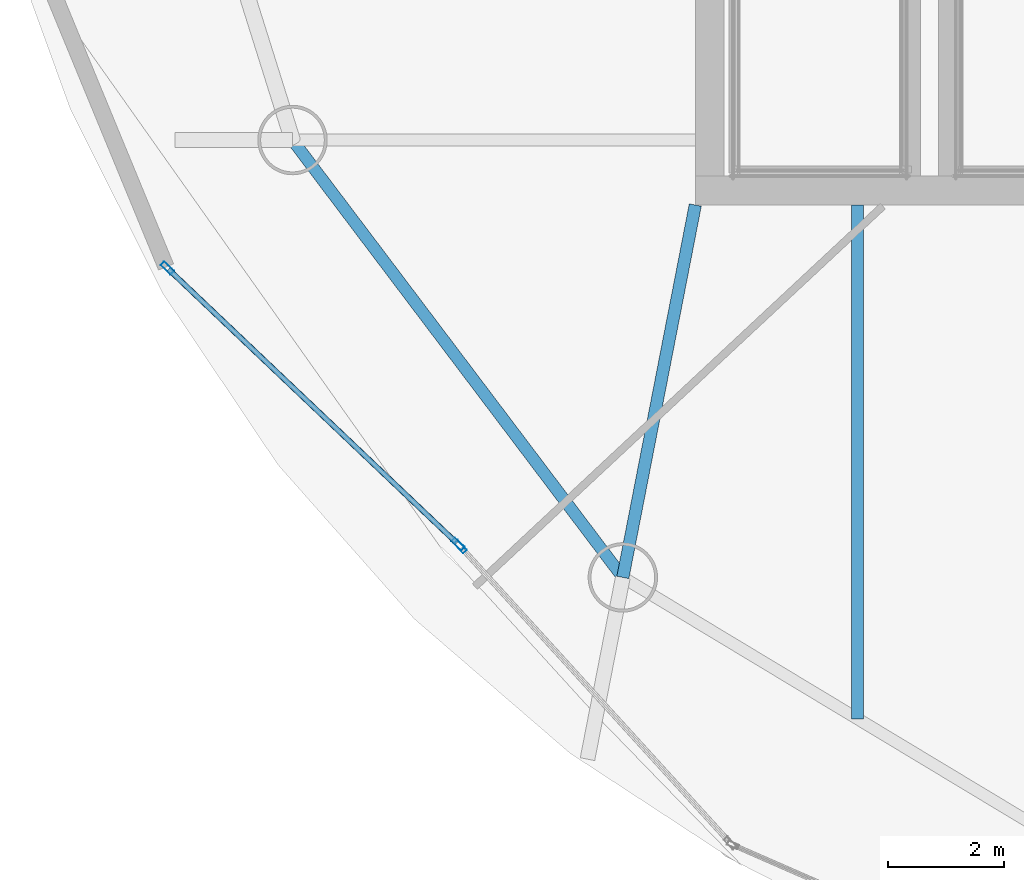
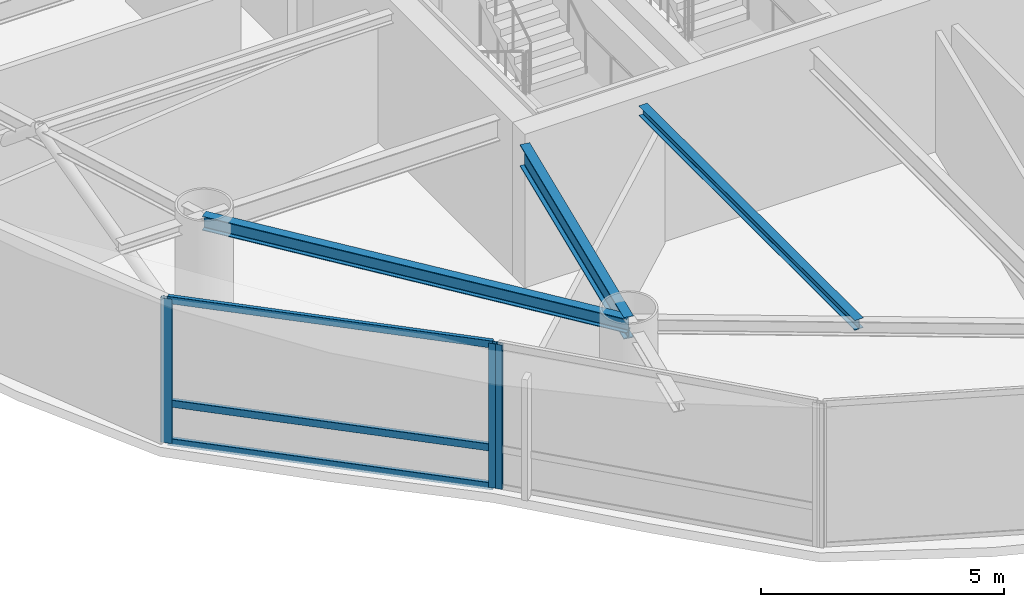
# One storey, part 3 of 22: 6 members, 3 beams, 2 elements without a shape of their own.
"""IFC4 building model written with IfcOpenShell, lengths in metres."""

from ifc_helpers import new_model, si_unit, direction, frame, origin, origin_2d, place, context, subcontext, project, spatial, hollow_rectangle, i_section, extrude, material, layer, layer_set, material_profile, profile_set, type_object, element, aggregate, save


model = new_model("IFC4")

# Units and contexts
model_context = context("Model", 3, precision=1e-05, world=origin(), true_north=direction((0.0, 1.0)))
body_context = subcontext(model_context, "Body", "Model", "MODEL_VIEW")
ifc_project = project(units=[si_unit("LENGTHUNIT", "METRE"), si_unit("AREAUNIT", "SQUARE_METRE"), si_unit("VOLUMEUNIT", "CUBIC_METRE"), si_unit("PLANEANGLEUNIT", "RADIAN"), si_unit("MASSUNIT", "GRAM", prefix="KILO")], contexts=[model_context])

# Site, building, storey
site_placement = place(None, origin())
site = spatial("IfcSite", under=ifc_project, at=site_placement, CompositionType="ELEMENT")
building_placement = place(site_placement, origin())
building = spatial("IfcBuilding", under=site, at=building_placement, Name="Bramvorn Convention Spire", CompositionType="ELEMENT")
storey_placement = place(building_placement, frame((0.0, 0.0, 213.550048828125)))
storey = spatial("IfcBuildingStorey", under=building, at=storey_placement, Name="L54", CompositionType="ELEMENT", Elevation=213.550048828125)

# Beams
ifc_material_1 = material(Name="Steel CSA G40.21 Grade 350 (350W)", Category="steel")
ifc_material_profile_1 = material_profile(ifc_material_1, i_section(OverallWidth=0.201904296875, OverallDepth=0.2470703125, WebThickness=0.00732421875, FlangeThickness=0.010986328125, FilletRadius=0.011962890625, at=origin_2d()))
ifc_profile_set_1 = profile_set([ifc_material_profile_1], Name="Steel CSA G40.21 Grade 350 (350W) - W250X49")
beam_type_1 = type_object("IfcBeamType", Name="BM-W250X49", PredefinedType="JOIST", material=ifc_profile_set_1)
beam_1_placement = place(storey_placement, frame((29.554443359375, 18.550048828125, 3.496337890625), z_axis=(0.0, -1.0, 0.0), x_axis=(1.0, 0.0, 0.0)))
element("IfcBeam", 1, at=beam_1_placement, inside=storey, type_object=beam_type_1, Name="L54 composite floor joist 13", PredefinedType="JOIST", context=body_context, shape_type="SweptSolid", body=[
    extrude(i_section(OverallWidth=0.201904296875, OverallDepth=0.2470703125, WebThickness=0.00732421875, FlangeThickness=0.010986328125, FilletRadius=0.011962890625, at=origin_2d()), origin(), (0.0, 0.0, 1.0), 8.878662109375),
])
ifc_material_profile_2 = material_profile(ifc_material_1, i_section(OverallWidth=0.205078125, OverallDepth=0.35400390625, WebThickness=0.009521484375, FlangeThickness=0.016845703125, FilletRadius=0.014892578125, at=origin_2d()))
ifc_profile_set_2 = profile_set([ifc_material_profile_2], Name="Steel CSA G40.21 Grade 350 (350W) - W360X79")
beam_type_2 = type_object("IfcBeamType", Name="BM-W360X79", PredefinedType="JOIST", material=ifc_profile_set_2)
beam_2_placement = place(storey_placement, frame((19.78955078125, 19.672607421875, 3.44287109375), z_axis=(0.602718581414, -0.797953827999, 0.0), x_axis=(0.797953827999, 0.602718581414, 0.0)))
element("IfcBeam", 2, at=beam_2_placement, inside=storey, type_object=beam_type_2, Name="L54 mega-column ring beam 12", PredefinedType="JOIST", context=body_context, shape_type="SweptSolid", body=[
    extrude(i_section(OverallWidth=0.205078125, OverallDepth=0.35400390625, WebThickness=0.009521484375, FlangeThickness=0.016845703125, FilletRadius=0.014892578125, at=origin_2d()), origin(), (0.0, 0.0, 1.0), 9.47119140625),
])
ifc_material_profile_3 = material_profile(ifc_material_1, i_section(OverallWidth=0.2119140625, OverallDepth=0.5439453125, WebThickness=0.01318359375, FlangeThickness=0.021240234375, FilletRadius=0.01904296875, at=origin_2d()))
ifc_profile_set_3 = profile_set([ifc_material_profile_3], Name="Steel CSA G40.21 Grade 350 (350W) - W530X123")
beam_type_3 = type_object("IfcBeamType", Name="BM-W530X123", PredefinedType="BEAM", material=ifc_profile_set_3)
beam_3_placement = place(storey_placement, frame((26.75, 18.550048828125, 3.347900390625), z_axis=(-0.190971329886, -0.981595614885, 0.0), x_axis=(0.981595614885, -0.190971329886, 0.0)))
element("IfcBeam", 3, at=beam_3_placement, inside=storey, type_object=beam_type_3, Name="L54 radial floor girder MC13", PredefinedType="BEAM", context=body_context, shape_type="SweptSolid", body=[
    extrude(i_section(OverallWidth=0.2119140625, OverallDepth=0.5439453125, WebThickness=0.01318359375, FlangeThickness=0.021240234375, FilletRadius=0.01904296875, at=origin_2d()), origin(), (0.0, 0.0, 1.0), 6.5556640625),
])

# Curtain wall, members
ifc_material_2 = material(Name="Anodised Bronze Unitised Curtain Wall", Category="aluminium")
ifc_layer = layer(ifc_material_2, 0.219970703125)
ifc_layer_set = layer_set([ifc_layer], Name="Anodised Bronze Unitised Curtain Wall - CW-SKYGARDEN")
curtain_wall_type = type_object("IfcCurtainWallType", Name="CW-SKYGARDEN", PredefinedType="USERDEFINED", material=ifc_layer_set)
curtain_wall_1_placement = place(storey_placement, origin())
curtain_wall_1 = element("IfcCurtainWall", 4, at=curtain_wall_1_placement, inside=storey, type_object=curtain_wall_type, Name="L54 Sky Garden glazed facade 18", ObjectType="WINTER GARDEN GLAZING", PredefinedType="USERDEFINED")
ifc_material_3 = material(Name="Anodised Bronze Aluminium 6063-T6", Category="aluminium")
ifc_material_profile_4 = material_profile(ifc_material_3, hollow_rectangle(XDim=0.090087890625, YDim=0.239990234375, WallThickness=0.00439453125, InnerFilletRadius=0.0009765625, OuterFilletRadius=0.00439453125, at=origin_2d()))
ifc_profile_set_4 = profile_set([ifc_material_profile_4], Name="Anodised Bronze Aluminium 6063-T6 - CWM90X240")
member_type_1 = type_object("IfcMemberType", Name="CW-MUL-220", PredefinedType="MULLION", material=ifc_profile_set_4)
member_1_placement = place(storey_placement, frame((22.649658203125, 12.689453125, 0.0), z_axis=(0.0, 0.0, 1.0), x_axis=(-0.688580568004, -0.725159845391, 0.0)))
member_1 = element("IfcMember", 5, at=member_1_placement, type_object=member_type_1, Name="CW4 mullion 1", PredefinedType="MULLION", context=body_context, shape_type="SweptSolid", body=[
    extrude(hollow_rectangle(XDim=0.090087890625, YDim=0.239990234375, WallThickness=0.00439453125, InnerFilletRadius=0.0009765625, OuterFilletRadius=0.00439453125, at=origin_2d()), origin(), (0.0, 0.0, 1.0), 3.619873046875),
])
member_2_placement = place(storey_placement, frame((17.626220703125, 17.459716796875, 0.0), z_axis=(0.0, 0.0, 1.0), x_axis=(-0.688580568004, -0.725159845391, 0.0)))
member_2 = element("IfcMember", 6, at=member_2_placement, type_object=member_type_1, Name="CW4 mullion 2", PredefinedType="MULLION", context=body_context, shape_type="SweptSolid", body=[
    extrude(hollow_rectangle(XDim=0.090087890625, YDim=0.239990234375, WallThickness=0.00439453125, InnerFilletRadius=0.0009765625, OuterFilletRadius=0.00439453125, at=origin_2d()), origin(), (0.0, 0.0, 1.0), 3.619873046875),
])

# Curtain wall, member
curtain_wall_2_placement = place(storey_placement, origin())
curtain_wall_2 = element("IfcCurtainWall", 7, at=curtain_wall_2_placement, inside=storey, type_object=curtain_wall_type, Name="L54 Sky Garden glazed facade 19", ObjectType="WINTER GARDEN GLAZING", PredefinedType="USERDEFINED")
member_3_placement = place(storey_placement, frame((22.691650390625, 12.646728515625, 0.0), z_axis=(0.0, 0.0, 1.0), x_axis=(-0.739419854956, -0.673244590099, 0.0)))
member_3 = element("IfcMember", 8, at=member_3_placement, type_object=member_type_1, Name="CW4 mullion 2", PredefinedType="MULLION", context=body_context, shape_type="SweptSolid", body=[
    extrude(hollow_rectangle(XDim=0.090087890625, YDim=0.239990234375, WallThickness=0.00439453125, InnerFilletRadius=0.0009765625, OuterFilletRadius=0.00439453125, at=origin_2d()), origin(), (0.0, 0.0, 1.0), 3.619873046875),
])
aggregate(curtain_wall_2, [member_3])

# Member
ifc_material_profile_5 = material_profile(ifc_material_3, hollow_rectangle(XDim=0.090087890625, YDim=0.179931640625, WallThickness=0.00439453125, InnerFilletRadius=0.0009765625, OuterFilletRadius=0.00439453125, at=origin_2d()))
ifc_profile_set_5 = profile_set([ifc_material_profile_5], Name="Anodised Bronze Aluminium 6063-T6 - CWT90X180")
member_type_2 = type_object("IfcMemberType", Name="CW-TRN-180", PredefinedType="USERDEFINED", material=ifc_profile_set_5)
member_4_placement = place(storey_placement, frame((22.6279296875, 12.710205078125, 0.030029296875), z_axis=(-0.725160956286, 0.688579398093, 0.0), x_axis=(-0.688579398093, -0.725160956286, 0.0)))
member_4 = element("IfcMember", 9, at=member_4_placement, type_object=member_type_2, Name="CW4 transom 1.1", ObjectType="TRANSOM", PredefinedType="USERDEFINED", context=body_context, shape_type="SweptSolid", body=[
    extrude(hollow_rectangle(XDim=0.090087890625, YDim=0.179931640625, WallThickness=0.00439453125, InnerFilletRadius=0.0009765625, OuterFilletRadius=0.00439453125, at=origin_2d()), origin(), (0.0, 0.0, 1.0), 6.867431640625),
])

member_5_placement = place(storey_placement, frame((22.6279296875, 12.710205078125, 1.0), z_axis=(-0.725160956286, 0.688579398093, 0.0), x_axis=(-0.688579398093, -0.725160956286, 0.0)))
member_5 = element("IfcMember", 10, at=member_5_placement, type_object=member_type_2, Name="CW4 transom 1.2", ObjectType="TRANSOM", PredefinedType="USERDEFINED", context=body_context, shape_type="SweptSolid", body=[
    extrude(hollow_rectangle(XDim=0.090087890625, YDim=0.179931640625, WallThickness=0.00439453125, InnerFilletRadius=0.0009765625, OuterFilletRadius=0.00439453125, at=origin_2d()), origin(), (0.0, 0.0, 1.0), 6.867431640625),
])

member_6_placement = place(storey_placement, frame((22.6279296875, 12.710205078125, 3.58984375), z_axis=(-0.725160956286, 0.688579398093, 0.0), x_axis=(-0.688579398093, -0.725160956286, 0.0)))
member_6 = element("IfcMember", 11, at=member_6_placement, type_object=member_type_2, Name="CW4 transom 1.3", ObjectType="TRANSOM", PredefinedType="USERDEFINED", context=body_context, shape_type="SweptSolid", body=[
    extrude(hollow_rectangle(XDim=0.090087890625, YDim=0.179931640625, WallThickness=0.00439453125, InnerFilletRadius=0.0009765625, OuterFilletRadius=0.00439453125, at=origin_2d()), origin(), (0.0, 0.0, 1.0), 6.867431640625),
])

aggregate(curtain_wall_1, [member_1, member_2, member_4, member_5, member_6])

save(model, "model.ifc")
